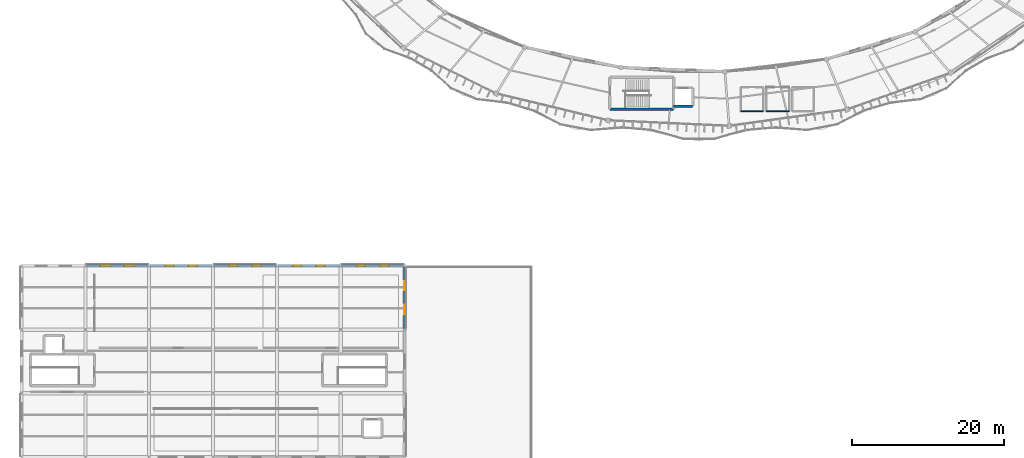
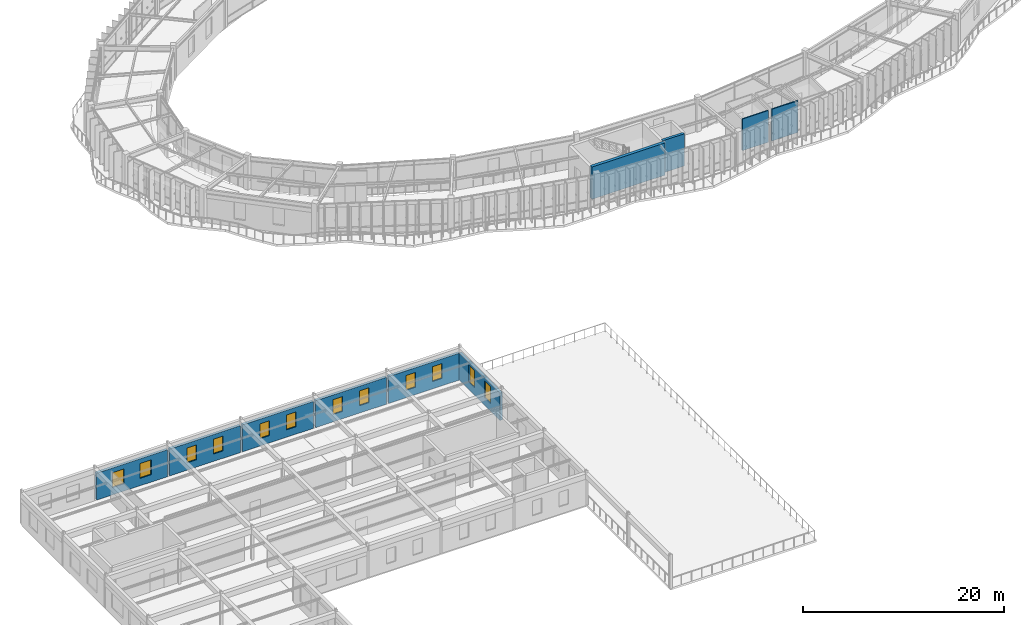
# One storey, part 68 of 83: 12 windows, 10 walls, 12 openings.
"""IFC4 building model written with IfcOpenShell, lengths in metres."""

from ifc_helpers import new_model, si_unit, direction, frame, frame_2d, origin, place, context, subcontext, project, spatial, rectangle, extrude, material, layer, layer_set, type_object, element, fill, save


model = new_model("IFC4")

# Units and contexts
model_context = context("Model", 3, precision=1e-05, world=origin(), true_north=direction((0.0, 1.0)))
body_context = subcontext(model_context, "Body", "Model", "MODEL_VIEW")
ifc_project = project(units=[si_unit("LENGTHUNIT", "METRE"), si_unit("AREAUNIT", "SQUARE_METRE"), si_unit("VOLUMEUNIT", "CUBIC_METRE"), si_unit("PLANEANGLEUNIT", "RADIAN"), si_unit("MASSUNIT", "GRAM", prefix="KILO"), si_unit("THERMODYNAMICTEMPERATUREUNIT", "KELVIN"), si_unit("POWERUNIT", "WATT")], contexts=[model_context])

# Site, building, storey
site_placement = place(None, origin())
site = spatial("IfcSite", under=ifc_project, at=site_placement, CompositionType="ELEMENT")
building_placement = place(site_placement, origin())
building = spatial("IfcBuilding", under=site, at=building_placement, Name="Darbajah Civic Hall", CompositionType="ELEMENT")
storey_placement = place(building_placement, frame((0.0, 0.0, 18.0)))
storey = spatial("IfcBuildingStorey", under=building, at=storey_placement, Name="L04", CompositionType="ELEMENT", Elevation=18.0)

# Walls
ifc_material_1 = material(Name="Concrete C45/55", Category="concrete")
ifc_layer_1 = layer(ifc_material_1, 0.300048828125, Name="Concrete C45/55")
ifc_layer_set_1 = layer_set([ifc_layer_1], Name="Concrete C45/55")
wall_type_1 = type_object("IfcWallType", Name="Core Shear Wall 300mm", PredefinedType="SHEAR", material=ifc_layer_set_1)
wall_1_placement = place(storey_placement, frame((85.800048828125, 63.0, 0.0), z_axis=(0.0, 0.0, 1.0), x_axis=(1.0, 0.0, 0.0)))
element("IfcWall", 1, at=wall_1_placement, inside=storey, type_object=wall_type_1, Name="L04 lift PL1 shaft wall S", PredefinedType="SHEAR", context=body_context, shape_type="SweptSolid", body=[
    extrude(rectangle(XDim=2.5, YDim=0.300048828125, at=frame_2d((1.25, 0.0))), origin(), (0.0, 0.0, 1.0), 3.919921875),
])
ifc_material_2 = material(Name="Concrete C50/60", Category="concrete")
ifc_layer_2 = layer(ifc_material_2, 0.35009765625, Name="Concrete C50/60")
ifc_layer_set_2 = layer_set([ifc_layer_2], Name="Concrete C50/60")
wall_type_2 = type_object("IfcWallType", Name="Core Shear Wall 350mm", PredefinedType="SHEAR", material=ifc_layer_set_2)
wall_2_placement = place(storey_placement, frame((77.39990234375, 62.60009765625, 0.0), z_axis=(0.0, 0.0, 1.0), x_axis=(1.0, 0.0, 0.0)))
element("IfcWall", 2, at=wall_2_placement, inside=storey, type_object=wall_type_2, Name="L04 core C03 shear wall S", PredefinedType="SHEAR", context=body_context, shape_type="SweptSolid", body=[
    extrude(rectangle(XDim=8.400146484375, YDim=0.35009765625, at=frame_2d((4.2001953125, 0.0))), origin(), (0.0, 0.0, 1.0), 3.919921875),
])

# Wall, openings, windows
ifc_material_3 = material(Name="Red Dholpur Sandstone Cladding", Category="masonry")
ifc_layer_3 = layer(ifc_material_3, 0.31005859375, Name="Red Dholpur Sandstone Cladding")
ifc_layer_set_3 = layer_set([ifc_layer_3], Name="Red Dholpur Sandstone Cladding")
wall_type_3 = type_object("IfcWallType", Name="Exterior Wall 310mm", PredefinedType="SOLIDWALL", material=ifc_layer_set_3)
wall_3_placement = place(storey_placement, frame((50.39990234375, 33.732177734375, 0.0), z_axis=(0.0, 0.0, 1.0), x_axis=(0.0, 1.0, 0.0)))
wall_3 = element("IfcWall", 3, at=wall_3_placement, inside=storey, type_object=wall_type_3, Name="L04 exterior wall EW-310", PredefinedType="SOLIDWALL", context=body_context, shape_type="SweptSolid", body=[
    extrude(rectangle(XDim=8.1357421875, YDim=0.31005859375, at=frame_2d((4.06787109375, 0.0))), origin(), (0.0, 0.0, 1.0), 3.320068359375),
])
opening_1_placement = place(wall_3_placement, frame((1.911865234375, 0.0, 0.89990234375)))
opening_1 = element("IfcOpeningElement", 4, at=opening_1_placement, cuts=wall_3, Name="Opening WN-01", PredefinedType="OPENING", context=body_context, shape_type="SweptSolid", body=[
    extrude(rectangle(XDim=1.199951171875, YDim=2.10009765625, at=frame_2d((0.60009765625, 1.050048828125))), frame((0.0, 0.1650390625, 0.0), z_axis=(0.0, -1.0, 0.0), x_axis=(1.0, 0.0, 0.0)), (0.0, 0.0, 1.0), 0.330078125),
])
opening_2_placement = place(wall_3_placement, frame((5.02392578125, 0.0, 0.89990234375)))
opening_2 = element("IfcOpeningElement", 5, at=opening_2_placement, cuts=wall_3, Name="Opening WN-01", PredefinedType="OPENING", context=body_context, shape_type="SweptSolid", body=[
    extrude(rectangle(XDim=1.199951171875, YDim=2.10009765625, at=frame_2d((0.60009765625, 1.050048828125))), frame((0.0, 0.1650390625, 0.0), z_axis=(0.0, -1.0, 0.0), x_axis=(1.0, 0.0, 0.0)), (0.0, 0.0, 1.0), 0.330078125),
])
ifc_material_4 = material(Name="Low-E Solar Control Double Glazing", Category="glass")
window_type_1 = type_object("IfcWindowType", Name="Facade Window 1200x2100", PartitioningType="SINGLE_PANEL", PredefinedType="WINDOW", material=ifc_material_4)
window_1_placement = place(opening_1_placement, origin())
window_1 = element("IfcWindow", 6, at=window_1_placement, inside=storey, type_object=window_type_1, Name="L04 facade window WN-01", OverallHeight=2.10009765625, OverallWidth=1.199951171875, PartitioningType="SINGLE_PANEL", PredefinedType="WINDOW", context=body_context, shape_type="SweptSolid", body=[
    extrude(rectangle(XDim=1.199951171875, YDim=2.10009765625, at=frame_2d((0.60009765625, 1.050048828125))), frame((0.0, 0.030029296875, 0.0), z_axis=(0.0, -1.0, 0.0), x_axis=(1.0, 0.0, 0.0)), (0.0, 0.0, 1.0), 0.06005859375),
])
fill(opening_1, window_1)
window_2_placement = place(opening_2_placement, origin())
window_2 = element("IfcWindow", 7, at=window_2_placement, inside=storey, type_object=window_type_1, Name="L04 facade window WN-01", OverallHeight=2.10009765625, OverallWidth=1.199951171875, PartitioningType="SINGLE_PANEL", PredefinedType="WINDOW", context=body_context, shape_type="SweptSolid", body=[
    extrude(rectangle(XDim=1.199951171875, YDim=2.10009765625, at=frame_2d((0.60009765625, 1.050048828125))), frame((0.0, 0.030029296875, 0.0), z_axis=(0.0, -1.0, 0.0), x_axis=(1.0, 0.0, 0.0)), (0.0, 0.0, 1.0), 0.06005859375),
])
fill(opening_2, window_2)

wall_4_placement = place(storey_placement, frame((50.27001953125, 42.0, 0.0), z_axis=(0.0, 0.0, 1.0), x_axis=(-1.0, 0.0, 0.0)))
wall_4 = element("IfcWall", 8, at=wall_4_placement, inside=storey, type_object=wall_type_3, Name="L04 exterior wall EW-310", PredefinedType="SOLIDWALL", context=body_context, shape_type="SweptSolid", body=[
    extrude(rectangle(XDim=8.139892578125, YDim=0.31005859375, at=frame_2d((4.06982421875, 0.0))), origin(), (0.0, 0.0, 1.0), 3.27001953125),
])
opening_3_placement = place(wall_4_placement, frame((1.97998046875, 0.0, 0.89990234375)))
opening_3 = element("IfcOpeningElement", 9, at=opening_3_placement, cuts=wall_4, Name="Opening WN-17", PredefinedType="OPENING", context=body_context, shape_type="SweptSolid", body=[
    extrude(rectangle(XDim=1.10009765625, YDim=1.800048828125, at=frame_2d((0.550048828125, 0.89990234375))), frame((0.0, 0.1650390625, 0.0), z_axis=(0.0, -1.0, 0.0), x_axis=(1.0, 0.0, 0.0)), (0.0, 0.0, 1.0), 0.330078125),
])
opening_4_placement = place(wall_4_placement, frame((5.059814453125, 0.0, 0.89990234375)))
opening_4 = element("IfcOpeningElement", 10, at=opening_4_placement, cuts=wall_4, Name="Opening WN-17", PredefinedType="OPENING", context=body_context, shape_type="SweptSolid", body=[
    extrude(rectangle(XDim=1.10009765625, YDim=1.800048828125, at=frame_2d((0.550048828125, 0.89990234375))), frame((0.0, 0.1650390625, 0.0), z_axis=(0.0, -1.0, 0.0), x_axis=(1.0, 0.0, 0.0)), (0.0, 0.0, 1.0), 0.330078125),
])
window_type_2 = type_object("IfcWindowType", Name="Facade Window 1100x1800", PartitioningType="SINGLE_PANEL", PredefinedType="WINDOW", material=ifc_material_4)
window_3_placement = place(opening_3_placement, origin())
window_3 = element("IfcWindow", 11, at=window_3_placement, inside=storey, type_object=window_type_2, Name="L04 facade window WN-17", OverallHeight=1.800048828125, OverallWidth=1.10009765625, PartitioningType="SINGLE_PANEL", PredefinedType="WINDOW", context=body_context, shape_type="SweptSolid", body=[
    extrude(rectangle(XDim=1.10009765625, YDim=1.800048828125, at=frame_2d((0.550048828125, 0.89990234375))), frame((0.0, 0.030029296875, 0.0), z_axis=(0.0, -1.0, 0.0), x_axis=(1.0, 0.0, 0.0)), (0.0, 0.0, 1.0), 0.06005859375),
])
fill(opening_3, window_3)
window_4_placement = place(opening_4_placement, origin())
window_4 = element("IfcWindow", 12, at=window_4_placement, inside=storey, type_object=window_type_2, Name="L04 facade window WN-17", OverallHeight=1.800048828125, OverallWidth=1.10009765625, PartitioningType="SINGLE_PANEL", PredefinedType="WINDOW", context=body_context, shape_type="SweptSolid", body=[
    extrude(rectangle(XDim=1.10009765625, YDim=1.800048828125, at=frame_2d((0.550048828125, 0.89990234375))), frame((0.0, 0.030029296875, 0.0), z_axis=(0.0, -1.0, 0.0), x_axis=(1.0, 0.0, 0.0)), (0.0, 0.0, 1.0), 0.06005859375),
])
fill(opening_4, window_4)

wall_5_placement = place(storey_placement, frame((41.869873046875, 42.0, 0.0), z_axis=(0.0, 0.0, 1.0), x_axis=(-1.0, 0.0, 0.0)))
wall_5 = element("IfcWall", 13, at=wall_5_placement, inside=storey, type_object=wall_type_3, Name="L04 exterior wall EW-310", PredefinedType="SOLIDWALL", context=body_context, shape_type="SweptSolid", body=[
    extrude(rectangle(XDim=8.139892578125, YDim=0.31005859375, at=frame_2d((4.06982421875, 0.0))), origin(), (0.0, 0.0, 1.0), 3.27001953125),
])
opening_5_placement = place(wall_5_placement, frame((1.97998046875, 0.0, 0.89990234375)))
opening_5 = element("IfcOpeningElement", 14, at=opening_5_placement, cuts=wall_5, Name="Opening WN-17", PredefinedType="OPENING", context=body_context, shape_type="SweptSolid", body=[
    extrude(rectangle(XDim=1.10009765625, YDim=1.800048828125, at=frame_2d((0.550048828125, 0.89990234375))), frame((0.0, 0.1650390625, 0.0), z_axis=(0.0, -1.0, 0.0), x_axis=(1.0, 0.0, 0.0)), (0.0, 0.0, 1.0), 0.330078125),
])
opening_6_placement = place(wall_5_placement, frame((5.059814453125, 0.0, 0.89990234375)))
opening_6 = element("IfcOpeningElement", 15, at=opening_6_placement, cuts=wall_5, Name="Opening WN-17", PredefinedType="OPENING", context=body_context, shape_type="SweptSolid", body=[
    extrude(rectangle(XDim=1.10009765625, YDim=1.800048828125, at=frame_2d((0.550048828125, 0.89990234375))), frame((0.0, 0.1650390625, 0.0), z_axis=(0.0, -1.0, 0.0), x_axis=(1.0, 0.0, 0.0)), (0.0, 0.0, 1.0), 0.330078125),
])
window_5_placement = place(opening_5_placement, origin())
window_5 = element("IfcWindow", 16, at=window_5_placement, inside=storey, type_object=window_type_2, Name="L04 facade window WN-17", OverallHeight=1.800048828125, OverallWidth=1.10009765625, PartitioningType="SINGLE_PANEL", PredefinedType="WINDOW", context=body_context, shape_type="SweptSolid", body=[
    extrude(rectangle(XDim=1.10009765625, YDim=1.800048828125, at=frame_2d((0.550048828125, 0.89990234375))), frame((0.0, 0.030029296875, 0.0), z_axis=(0.0, -1.0, 0.0), x_axis=(1.0, 0.0, 0.0)), (0.0, 0.0, 1.0), 0.06005859375),
])
fill(opening_5, window_5)
window_6_placement = place(opening_6_placement, origin())
window_6 = element("IfcWindow", 17, at=window_6_placement, inside=storey, type_object=window_type_2, Name="L04 facade window WN-17", OverallHeight=1.800048828125, OverallWidth=1.10009765625, PartitioningType="SINGLE_PANEL", PredefinedType="WINDOW", context=body_context, shape_type="SweptSolid", body=[
    extrude(rectangle(XDim=1.10009765625, YDim=1.800048828125, at=frame_2d((0.550048828125, 0.89990234375))), frame((0.0, 0.030029296875, 0.0), z_axis=(0.0, -1.0, 0.0), x_axis=(1.0, 0.0, 0.0)), (0.0, 0.0, 1.0), 0.06005859375),
])
fill(opening_6, window_6)

wall_6_placement = place(storey_placement, frame((33.469970703125, 42.0, 0.0), z_axis=(0.0, 0.0, 1.0), x_axis=(-1.0, 0.0, 0.0)))
wall_6 = element("IfcWall", 18, at=wall_6_placement, inside=storey, type_object=wall_type_3, Name="L04 exterior wall EW-310", PredefinedType="SOLIDWALL", context=body_context, shape_type="SweptSolid", body=[
    extrude(rectangle(XDim=8.139892578125, YDim=0.31005859375, at=frame_2d((4.06982421875, 0.0))), origin(), (0.0, 0.0, 1.0), 3.27001953125),
])
opening_7_placement = place(wall_6_placement, frame((1.97998046875, 0.0, 0.89990234375)))
opening_7 = element("IfcOpeningElement", 19, at=opening_7_placement, cuts=wall_6, Name="Opening WN-17", PredefinedType="OPENING", context=body_context, shape_type="SweptSolid", body=[
    extrude(rectangle(XDim=1.10009765625, YDim=1.800048828125, at=frame_2d((0.550048828125, 0.89990234375))), frame((0.0, 0.1650390625, 0.0), z_axis=(0.0, -1.0, 0.0), x_axis=(1.0, 0.0, 0.0)), (0.0, 0.0, 1.0), 0.330078125),
])
opening_8_placement = place(wall_6_placement, frame((5.059814453125, 0.0, 0.89990234375)))
opening_8 = element("IfcOpeningElement", 20, at=opening_8_placement, cuts=wall_6, Name="Opening WN-17", PredefinedType="OPENING", context=body_context, shape_type="SweptSolid", body=[
    extrude(rectangle(XDim=1.10009765625, YDim=1.800048828125, at=frame_2d((0.550048828125, 0.89990234375))), frame((0.0, 0.1650390625, 0.0), z_axis=(0.0, -1.0, 0.0), x_axis=(1.0, 0.0, 0.0)), (0.0, 0.0, 1.0), 0.330078125),
])
window_7_placement = place(opening_7_placement, origin())
window_7 = element("IfcWindow", 21, at=window_7_placement, inside=storey, type_object=window_type_2, Name="L04 facade window WN-17", OverallHeight=1.800048828125, OverallWidth=1.10009765625, PartitioningType="SINGLE_PANEL", PredefinedType="WINDOW", context=body_context, shape_type="SweptSolid", body=[
    extrude(rectangle(XDim=1.10009765625, YDim=1.800048828125, at=frame_2d((0.550048828125, 0.89990234375))), frame((0.0, 0.030029296875, 0.0), z_axis=(0.0, -1.0, 0.0), x_axis=(1.0, 0.0, 0.0)), (0.0, 0.0, 1.0), 0.06005859375),
])
fill(opening_7, window_7)
window_8_placement = place(opening_8_placement, origin())
window_8 = element("IfcWindow", 22, at=window_8_placement, inside=storey, type_object=window_type_2, Name="L04 facade window WN-17", OverallHeight=1.800048828125, OverallWidth=1.10009765625, PartitioningType="SINGLE_PANEL", PredefinedType="WINDOW", context=body_context, shape_type="SweptSolid", body=[
    extrude(rectangle(XDim=1.10009765625, YDim=1.800048828125, at=frame_2d((0.550048828125, 0.89990234375))), frame((0.0, 0.030029296875, 0.0), z_axis=(0.0, -1.0, 0.0), x_axis=(1.0, 0.0, 0.0)), (0.0, 0.0, 1.0), 0.06005859375),
])
fill(opening_8, window_8)

wall_7_placement = place(storey_placement, frame((25.06982421875, 42.0, 0.0), z_axis=(0.0, 0.0, 1.0), x_axis=(-1.0, 0.0, 0.0)))
wall_7 = element("IfcWall", 23, at=wall_7_placement, inside=storey, type_object=wall_type_3, Name="L04 exterior wall EW-310", PredefinedType="SOLIDWALL", context=body_context, shape_type="SweptSolid", body=[
    extrude(rectangle(XDim=8.1396484375, YDim=0.31005859375, at=frame_2d((4.06982421875, 0.0))), origin(), (0.0, 0.0, 1.0), 3.27001953125),
])
opening_9_placement = place(wall_7_placement, frame((1.97998046875, 0.0, 0.89990234375)))
opening_9 = element("IfcOpeningElement", 24, at=opening_9_placement, cuts=wall_7, Name="Opening WN-17", PredefinedType="OPENING", context=body_context, shape_type="SweptSolid", body=[
    extrude(rectangle(XDim=1.10009765625, YDim=1.800048828125, at=frame_2d((0.550048828125, 0.89990234375))), frame((0.0, 0.1650390625, 0.0), z_axis=(0.0, -1.0, 0.0), x_axis=(1.0, 0.0, 0.0)), (0.0, 0.0, 1.0), 0.330078125),
])
opening_10_placement = place(wall_7_placement, frame((5.059814453125, 0.0, 0.89990234375)))
opening_10 = element("IfcOpeningElement", 25, at=opening_10_placement, cuts=wall_7, Name="Opening WN-17", PredefinedType="OPENING", context=body_context, shape_type="SweptSolid", body=[
    extrude(rectangle(XDim=1.10009765625, YDim=1.800048828125, at=frame_2d((0.550048828125, 0.89990234375))), frame((0.0, 0.1650390625, 0.0), z_axis=(0.0, -1.0, 0.0), x_axis=(1.0, 0.0, 0.0)), (0.0, 0.0, 1.0), 0.330078125),
])
window_9_placement = place(opening_9_placement, origin())
window_9 = element("IfcWindow", 26, at=window_9_placement, inside=storey, type_object=window_type_2, Name="L04 facade window WN-17", OverallHeight=1.800048828125, OverallWidth=1.10009765625, PartitioningType="SINGLE_PANEL", PredefinedType="WINDOW", context=body_context, shape_type="SweptSolid", body=[
    extrude(rectangle(XDim=1.10009765625, YDim=1.800048828125, at=frame_2d((0.550048828125, 0.89990234375))), frame((0.0, 0.030029296875, 0.0), z_axis=(0.0, -1.0, 0.0), x_axis=(1.0, 0.0, 0.0)), (0.0, 0.0, 1.0), 0.06005859375),
])
fill(opening_9, window_9)
window_10_placement = place(opening_10_placement, origin())
window_10 = element("IfcWindow", 27, at=window_10_placement, inside=storey, type_object=window_type_2, Name="L04 facade window WN-17", OverallHeight=1.800048828125, OverallWidth=1.10009765625, PartitioningType="SINGLE_PANEL", PredefinedType="WINDOW", context=body_context, shape_type="SweptSolid", body=[
    extrude(rectangle(XDim=1.10009765625, YDim=1.800048828125, at=frame_2d((0.550048828125, 0.89990234375))), frame((0.0, 0.030029296875, 0.0), z_axis=(0.0, -1.0, 0.0), x_axis=(1.0, 0.0, 0.0)), (0.0, 0.0, 1.0), 0.06005859375),
])
fill(opening_10, window_10)

wall_8_placement = place(storey_placement, frame((16.669921875, 42.0, 0.0), z_axis=(0.0, 0.0, 1.0), x_axis=(-1.0, 0.0, 0.0)))
wall_8 = element("IfcWall", 28, at=wall_8_placement, inside=storey, type_object=wall_type_3, Name="L04 exterior wall EW-310", PredefinedType="SOLIDWALL", context=body_context, shape_type="SweptSolid", body=[
    extrude(rectangle(XDim=8.139892578125, YDim=0.31005859375, at=frame_2d((4.06982421875, 0.0))), origin(), (0.0, 0.0, 1.0), 3.27001953125),
])
opening_11_placement = place(wall_8_placement, frame((1.8466796875, 0.0, 0.89990234375)))
opening_11 = element("IfcOpeningElement", 29, at=opening_11_placement, cuts=wall_8, Name="Opening WN-18", PredefinedType="OPENING", context=body_context, shape_type="SweptSolid", body=[
    extrude(rectangle(XDim=1.300048828125, YDim=1.800048828125, at=frame_2d((0.64990234375, 0.89990234375))), frame((0.0, 0.1650390625, 0.0), z_axis=(0.0, -1.0, 0.0), x_axis=(1.0, 0.0, 0.0)), (0.0, 0.0, 1.0), 0.330078125),
])
opening_12_placement = place(wall_8_placement, frame((4.9931640625, 0.0, 0.89990234375)))
opening_12 = element("IfcOpeningElement", 30, at=opening_12_placement, cuts=wall_8, Name="Opening WN-18", PredefinedType="OPENING", context=body_context, shape_type="SweptSolid", body=[
    extrude(rectangle(XDim=1.300048828125, YDim=1.800048828125, at=frame_2d((0.64990234375, 0.89990234375))), frame((0.0, 0.1650390625, 0.0), z_axis=(0.0, -1.0, 0.0), x_axis=(1.0, 0.0, 0.0)), (0.0, 0.0, 1.0), 0.330078125),
])
window_type_3 = type_object("IfcWindowType", Name="Facade Window 1300x1800", PartitioningType="SINGLE_PANEL", PredefinedType="WINDOW", material=ifc_material_4)
window_11_placement = place(opening_11_placement, origin())
window_11 = element("IfcWindow", 31, at=window_11_placement, inside=storey, type_object=window_type_3, Name="L04 facade window WN-18", OverallHeight=1.800048828125, OverallWidth=1.300048828125, PartitioningType="SINGLE_PANEL", PredefinedType="WINDOW", context=body_context, shape_type="SweptSolid", body=[
    extrude(rectangle(XDim=1.300048828125, YDim=1.800048828125, at=frame_2d((0.64990234375, 0.89990234375))), frame((0.0, 0.030029296875, 0.0), z_axis=(0.0, -1.0, 0.0), x_axis=(1.0, 0.0, 0.0)), (0.0, 0.0, 1.0), 0.06005859375),
])
fill(opening_11, window_11)
window_12_placement = place(opening_12_placement, origin())
window_12 = element("IfcWindow", 32, at=window_12_placement, inside=storey, type_object=window_type_3, Name="L04 facade window WN-18", OverallHeight=1.800048828125, OverallWidth=1.300048828125, PartitioningType="SINGLE_PANEL", PredefinedType="WINDOW", context=body_context, shape_type="SweptSolid", body=[
    extrude(rectangle(XDim=1.300048828125, YDim=1.800048828125, at=frame_2d((0.64990234375, 0.89990234375))), frame((0.0, 0.030029296875, 0.0), z_axis=(0.0, -1.0, 0.0), x_axis=(1.0, 0.0, 0.0)), (0.0, 0.0, 1.0), 0.06005859375),
])
fill(opening_12, window_12)

# Walls
ifc_material_5 = material(Name="Gypsum Plasterboard on Steel Stud", Category="steel")
ifc_layer_4 = layer(ifc_material_5, 0.135009765625, Name="Gypsum Plasterboard on Steel Stud")
ifc_layer_set_4 = layer_set([ifc_layer_4], Name="Gypsum Plasterboard on Steel Stud")
wall_type_4 = type_object("IfcWallType", Name="Interior Partition 135mm", PredefinedType="PARTITIONING", material=ifc_layer_set_4)
for number, where, z_axis, x_axis, name in (
    (33, (94.60009765625, 62.300048828125, 0.0), (0.0, 0.0, 1.0), (1.0, 0.0, 0.0), "L04 restroom enclosure wall L04-WCM S"),
    (34, (98.0, 62.300048828125, 0.0), (0.0, 0.0, 1.0), (1.0, 0.0, 0.0), "L04 restroom enclosure wall L04-WCF S"),
):
    element("IfcWall", number, at=place(storey_placement, frame(where, z_axis=z_axis, x_axis=x_axis)), inside=storey, type_object=wall_type_4, Name=name, PredefinedType="PARTITIONING", context=body_context, shape_type="SweptSolid", body=[
        extrude(rectangle(XDim=3.0, YDim=0.135009765625, at=frame_2d((1.5, 0.0))), origin(), (0.0, 0.0, 1.0), 3.860107421875),
    ])

save(model, "model.ifc")
